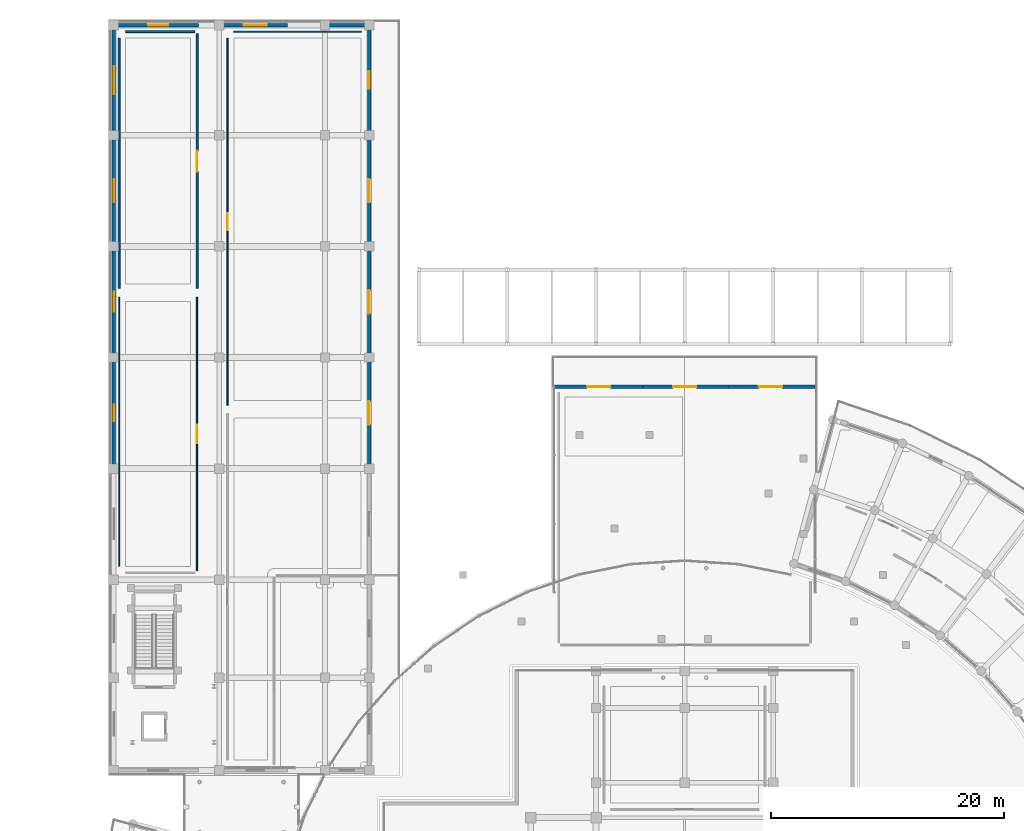
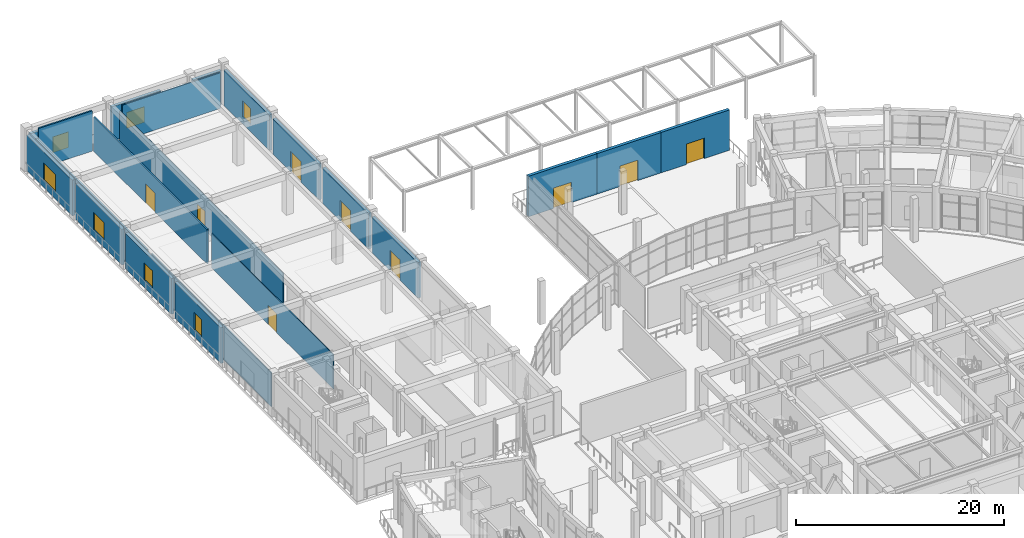
# One storey, part 75 of 99: 21 walls, 9 doors, 7 windows, 16 openings.
"""IFC4 building model written with IfcOpenShell, lengths in metres."""

from ifc_helpers import new_model, si_unit, direction, frame, frame_2d, origin, place, context, subcontext, project, spatial, rectangle, extrude, material, layer, layer_set, type_object, element, fill, save


model = new_model("IFC4")

# Units and contexts
model_context = context("Model", 3, precision=1e-05, world=origin(), true_north=direction((0.0, 1.0)))
body_context = subcontext(model_context, "Body", "Model", "MODEL_VIEW")
ifc_project = project(units=[si_unit("LENGTHUNIT", "METRE"), si_unit("AREAUNIT", "SQUARE_METRE"), si_unit("VOLUMEUNIT", "CUBIC_METRE"), si_unit("PLANEANGLEUNIT", "RADIAN"), si_unit("MASSUNIT", "GRAM", prefix="KILO")], contexts=[model_context])

# Site, building, storey
site_placement = place(None, origin())
site = spatial("IfcSite", under=ifc_project, at=site_placement, CompositionType="ELEMENT")
building_placement = place(site_placement, origin())
building = spatial("IfcBuilding", under=site, at=building_placement, Name="Saryqyr Civic Hall", CompositionType="ELEMENT")
storey_placement = place(building_placement, origin())
storey = spatial("IfcBuildingStorey", under=building, at=storey_placement, Name="L00", CompositionType="ELEMENT", Elevation=0.0)

# Wall, opening, window
ifc_material_1 = material(Name="Precast concrete C40/50", Category="concrete")
ifc_layer_1 = layer(ifc_material_1, 0.31005859375, Name="Precast concrete C40/50")
ifc_layer_set_1 = layer_set([ifc_layer_1], Name="Precast concrete C40/50")
wall_type_1 = type_object("IfcWallType", Name="ENV-WAL-EXT-310", PredefinedType="STANDARD", material=ifc_layer_set_1)
wall_1_placement = place(storey_placement, frame((29.949951171875, 164.81494140625, 0.0), z_axis=(0.0, 0.0, 1.0), x_axis=(0.0, -1.0, 0.0)))
wall_1 = element("IfcWall", 1, at=wall_1_placement, inside=storey, type_object=wall_type_1, Name="Exterior wall V3-EW-L00-1-0", PredefinedType="STANDARD", context=body_context, shape_type="SweptSolid", body=[
    extrude(rectangle(XDim=8.760009765625, YDim=0.31005859375, at=frame_2d((4.3798828125, 0.0))), origin(), (0.0, 0.0, 1.0), 4.195068359375),
])
opening_1_placement = place(wall_1_placement, frame((3.6298828125, 0.0, 0.85009765625)))
opening_1 = element("IfcOpeningElement", 2, at=opening_1_placement, cuts=wall_1, Name="Opening W-26", PredefinedType="OPENING", context=body_context, shape_type="SweptSolid", body=[
    extrude(rectangle(XDim=1.5, YDim=1.85009765625, at=frame_2d((0.75, 0.925048828125))), frame((0.0, 0.1650390625, 0.0), z_axis=(0.0, -1.0, 0.0), x_axis=(1.0, 0.0, 0.0)), (0.0, 0.0, 1.0), 0.330078125),
])
ifc_material_2 = material(Name="Anodised aluminium and triple low-E glass", Category="aluminium")
window_type_1 = type_object("IfcWindowType", Name="ENV-WIN-W26", PartitioningType="SINGLE_PANEL", PredefinedType="WINDOW", material=ifc_material_2)
window_1_placement = place(opening_1_placement, origin())
window_1 = element("IfcWindow", 3, at=window_1_placement, inside=storey, type_object=window_type_1, Name="Library window L00-1-0", OverallHeight=1.85009765625, OverallWidth=1.5, PartitioningType="SINGLE_PANEL", PredefinedType="WINDOW", context=body_context, shape_type="SweptSolid", body=[
    extrude(rectangle(XDim=1.5, YDim=1.85009765625, at=frame_2d((0.75, 0.925048828125))), frame((0.0, 0.030029296875, 0.0), z_axis=(0.0, -1.0, 0.0), x_axis=(1.0, 0.0, 0.0)), (0.0, 0.0, 1.0), 0.06005859375),
])
fill(opening_1, window_1)

# Wall, opening, door
wall_2_placement = place(storey_placement, frame((29.949951171875, 155.385009765625, 0.0), z_axis=(0.0, 0.0, 1.0), x_axis=(0.0, -1.0, 0.0)))
wall_2 = element("IfcWall", 4, at=wall_2_placement, inside=storey, type_object=wall_type_1, Name="Exterior wall V3-EW-L00-1-1", PredefinedType="STANDARD", context=body_context, shape_type="SweptSolid", body=[
    extrude(rectangle(XDim=8.860107421875, YDim=0.31005859375, at=frame_2d((4.43017578125, 0.0))), origin(), (0.0, 0.0, 1.0), 4.195068359375),
])
opening_2_placement = place(wall_2_placement, frame((3.429931640625, 0.0, 0.0)))
opening_2 = element("IfcOpeningElement", 5, at=opening_2_placement, cuts=wall_2, Name="Opening ED-A", PredefinedType="OPENING", context=body_context, shape_type="SweptSolid", body=[
    extrude(rectangle(XDim=2.0, YDim=2.39990234375, at=frame_2d((1.0, 1.199951171875))), frame((0.0, 0.1650390625, 0.0), z_axis=(0.0, -1.0, 0.0), x_axis=(1.0, 0.0, 0.0)), (0.0, 0.0, 1.0), 0.330078125),
])
ifc_material_3 = material(Name="Thermally broken painted galvanized steel", Category="steel")
door_type_1 = type_object("IfcDoorType", Name="ENV-DR-EXIT-2000x2400", OperationType="NOTDEFINED", PredefinedType="DOOR", material=ifc_material_3)
door_1_placement = place(opening_2_placement, origin())
door_1 = element("IfcDoor", 6, at=door_1_placement, inside=storey, type_object=door_type_1, Name="Pedestrian Final Exit Door V3-1-1", OperationType="DOUBLE_DOOR_SINGLE_SWING", OverallHeight=2.39990234375, OverallWidth=2.0, PredefinedType="DOOR", context=body_context, shape_type="SweptSolid", body=[
    extrude(rectangle(XDim=2.0, YDim=2.39990234375, at=frame_2d((1.0, 1.199951171875))), frame((0.0, 0.02490234375, 0.0), z_axis=(0.0, -1.0, 0.0), x_axis=(1.0, 0.0, 0.0)), (0.0, 0.0, 1.0), 0.050048828125),
])
fill(opening_2, door_1)

wall_3_placement = place(storey_placement, frame((29.949951171875, 145.85498046875, 0.0), z_axis=(0.0, 0.0, 1.0), x_axis=(0.0, -1.0, 0.0)))
wall_3 = element("IfcWall", 7, at=wall_3_placement, inside=storey, type_object=wall_type_1, Name="Exterior wall V3-EW-L00-1-2", PredefinedType="STANDARD", context=body_context, shape_type="SweptSolid", body=[
    extrude(rectangle(XDim=8.85986328125, YDim=0.31005859375, at=frame_2d((4.429931640625, 0.0))), origin(), (0.0, 0.0, 1.0), 4.195068359375),
])
opening_3_placement = place(wall_3_placement, frame((3.429931640625, 0.0, 0.0)))
opening_3 = element("IfcOpeningElement", 8, at=opening_3_placement, cuts=wall_3, Name="Opening ED-A", PredefinedType="OPENING", context=body_context, shape_type="SweptSolid", body=[
    extrude(rectangle(XDim=2.0, YDim=2.39990234375, at=frame_2d((1.0, 1.199951171875))), frame((0.0, 0.1650390625, 0.0), z_axis=(0.0, -1.0, 0.0), x_axis=(1.0, 0.0, 0.0)), (0.0, 0.0, 1.0), 0.330078125),
])
door_2_placement = place(opening_3_placement, origin())
door_2 = element("IfcDoor", 9, at=door_2_placement, inside=storey, type_object=door_type_1, Name="Pedestrian Final Exit Door V3-1-2", OperationType="DOUBLE_DOOR_SINGLE_SWING", OverallHeight=2.39990234375, OverallWidth=2.0, PredefinedType="DOOR", context=body_context, shape_type="SweptSolid", body=[
    extrude(rectangle(XDim=2.0, YDim=2.39990234375, at=frame_2d((1.0, 1.199951171875))), frame((0.0, 0.02490234375, 0.0), z_axis=(0.0, -1.0, 0.0), x_axis=(1.0, 0.0, 0.0)), (0.0, 0.0, 1.0), 0.050048828125),
])
fill(opening_3, door_2)

wall_4_placement = place(storey_placement, frame((29.949951171875, 136.324951171875, 0.0), z_axis=(0.0, 0.0, 1.0), x_axis=(0.0, -1.0, 0.0)))
wall_4 = element("IfcWall", 10, at=wall_4_placement, inside=storey, type_object=wall_type_1, Name="Exterior wall V3-EW-L00-1-3", PredefinedType="STANDARD", context=body_context, shape_type="SweptSolid", body=[
    extrude(rectangle(XDim=8.85986328125, YDim=0.31005859375, at=frame_2d((4.429931640625, 0.0))), origin(), (0.0, 0.0, 1.0), 4.195068359375),
])
opening_4_placement = place(wall_4_placement, frame((3.429931640625, 0.0, 0.0)))
opening_4 = element("IfcOpeningElement", 11, at=opening_4_placement, cuts=wall_4, Name="Opening ED-A", PredefinedType="OPENING", context=body_context, shape_type="SweptSolid", body=[
    extrude(rectangle(XDim=2.0, YDim=2.39990234375, at=frame_2d((1.0, 1.199951171875))), frame((0.0, 0.1650390625, 0.0), z_axis=(0.0, -1.0, 0.0), x_axis=(1.0, 0.0, 0.0)), (0.0, 0.0, 1.0), 0.330078125),
])
door_3_placement = place(opening_4_placement, origin())
door_3 = element("IfcDoor", 12, at=door_3_placement, inside=storey, type_object=door_type_1, Name="Pedestrian Final Exit Door V3-1-3", OperationType="DOUBLE_DOOR_SINGLE_SWING", OverallHeight=2.39990234375, OverallWidth=2.0, PredefinedType="DOOR", context=body_context, shape_type="SweptSolid", body=[
    extrude(rectangle(XDim=2.0, YDim=2.39990234375, at=frame_2d((1.0, 1.199951171875))), frame((0.0, 0.02490234375, 0.0), z_axis=(0.0, -1.0, 0.0), x_axis=(1.0, 0.0, 0.0)), (0.0, 0.0, 1.0), 0.050048828125),
])
fill(opening_4, door_3)

# Wall, opening, window
wall_5_placement = place(storey_placement, frame((8.385009765625, 165.14990234375, 0.0), z_axis=(0.0, 0.0, 1.0), x_axis=(1.0, 0.0, 0.0)))
wall_5 = element("IfcWall", 13, at=wall_5_placement, inside=storey, type_object=wall_type_1, Name="Exterior wall V3-EW-L00-2-0", PredefinedType="STANDARD", context=body_context, shape_type="SweptSolid", body=[
    extrude(rectangle(XDim=6.93505859375, YDim=0.31005859375, at=frame_2d((3.467529296875, 0.0))), origin(), (0.0, 0.0, 1.0), 4.044921875),
])
opening_5_placement = place(wall_5_placement, frame((2.593017578125, 0.0, 0.85009765625)))
opening_5 = element("IfcOpeningElement", 14, at=opening_5_placement, cuts=wall_5, Name="Opening W-27", PredefinedType="OPENING", context=body_context, shape_type="SweptSolid", body=[
    extrude(rectangle(XDim=1.75, YDim=1.85009765625, at=frame_2d((0.875, 0.925048828125))), frame((0.0, 0.1650390625, 0.0), z_axis=(0.0, -1.0, 0.0), x_axis=(1.0, 0.0, 0.0)), (0.0, 0.0, 1.0), 0.330078125),
])
window_type_2 = type_object("IfcWindowType", Name="ENV-WIN-W27", PartitioningType="SINGLE_PANEL", PredefinedType="WINDOW", material=ifc_material_2)
window_2_placement = place(opening_5_placement, origin())
window_2 = element("IfcWindow", 15, at=window_2_placement, inside=storey, type_object=window_type_2, Name="Library window L00-2-0", OverallHeight=1.85009765625, OverallWidth=1.75, PartitioningType="SINGLE_PANEL", PredefinedType="WINDOW", context=body_context, shape_type="SweptSolid", body=[
    extrude(rectangle(XDim=1.75, YDim=1.85009765625, at=frame_2d((0.875, 0.925048828125))), frame((0.0, 0.030029296875, 0.0), z_axis=(0.0, -1.0, 0.0), x_axis=(1.0, 0.0, 0.0)), (0.0, 0.0, 1.0), 0.06005859375),
])
fill(opening_5, window_2)

wall_6_placement = place(storey_placement, frame((17.43505859375, 165.14990234375, 0.0), z_axis=(0.0, 0.0, 1.0), x_axis=(1.0, 0.0, 0.0)))
wall_6 = element("IfcWall", 16, at=wall_6_placement, inside=storey, type_object=wall_type_1, Name="Exterior wall V3-EW-L00-2-1", PredefinedType="STANDARD", context=body_context, shape_type="SweptSolid", body=[
    extrude(rectangle(XDim=5.48486328125, YDim=0.31005859375, at=frame_2d((2.742431640625, 0.0))), origin(), (0.0, 0.0, 1.0), 4.044921875),
])
opening_6_placement = place(wall_6_placement, frame((1.742919921875, 0.0, 0.85009765625)))
opening_6 = element("IfcOpeningElement", 17, at=opening_6_placement, cuts=wall_6, Name="Opening W-28", PredefinedType="OPENING", context=body_context, shape_type="SweptSolid", body=[
    extrude(rectangle(XDim=2.0, YDim=1.85009765625, at=frame_2d((1.0, 0.925048828125))), frame((0.0, 0.1650390625, 0.0), z_axis=(0.0, -1.0, 0.0), x_axis=(1.0, 0.0, 0.0)), (0.0, 0.0, 1.0), 0.330078125),
])
window_type_3 = type_object("IfcWindowType", Name="ENV-WIN-W28", PartitioningType="SINGLE_PANEL", PredefinedType="WINDOW", material=ifc_material_2)
window_3_placement = place(opening_6_placement, origin())
window_3 = element("IfcWindow", 18, at=window_3_placement, inside=storey, type_object=window_type_3, Name="Library window L00-2-1", OverallHeight=1.85009765625, OverallWidth=2.0, PartitioningType="SINGLE_PANEL", PredefinedType="WINDOW", context=body_context, shape_type="SweptSolid", body=[
    extrude(rectangle(XDim=2.0, YDim=1.85009765625, at=frame_2d((1.0, 0.925048828125))), frame((0.0, 0.030029296875, 0.0), z_axis=(0.0, -1.0, 0.0), x_axis=(1.0, 0.0, 0.0)), (0.0, 0.0, 1.0), 0.06005859375),
])
fill(opening_6, window_3)

# Wall
wall_7_placement = place(storey_placement, frame((26.485107421875, 165.14990234375, 0.0), z_axis=(0.0, 0.0, 1.0), x_axis=(1.0, 0.0, 0.0)))
element("IfcWall", 19, at=wall_7_placement, inside=storey, type_object=wall_type_1, Name="Exterior wall V3-EW-L00-2-2", PredefinedType="STANDARD", context=body_context, shape_type="SweptSolid", body=[
    extrude(rectangle(XDim=3.1298828125, YDim=0.31005859375, at=frame_2d((1.56494140625, 0.0))), origin(), (0.0, 0.0, 1.0), 4.044921875),
])

# Wall, opening, window
wall_8_placement = place(storey_placement, frame((8.050048828125, 127.465087890625, 0.0), z_axis=(0.0, 0.0, 1.0), x_axis=(0.0, 1.0, 0.0)))
wall_8 = element("IfcWall", 20, at=wall_8_placement, inside=storey, type_object=wall_type_1, Name="Exterior wall V3-EW-L00-3-3", PredefinedType="STANDARD", context=body_context, shape_type="SweptSolid", body=[
    extrude(rectangle(XDim=8.85986328125, YDim=0.31005859375, at=frame_2d((4.429931640625, 0.0))), origin(), (0.0, 0.0, 1.0), 4.195068359375),
])
opening_7_placement = place(wall_8_placement, frame((3.72998046875, 0.0, 0.85009765625)))
opening_7 = element("IfcOpeningElement", 21, at=opening_7_placement, cuts=wall_8, Name="Opening W-31", PredefinedType="OPENING", context=body_context, shape_type="SweptSolid", body=[
    extrude(rectangle(XDim=1.39990234375, YDim=2.050048828125, at=frame_2d((0.699951171875, 1.02490234375))), frame((0.0, 0.1650390625, 0.0), z_axis=(0.0, -1.0, 0.0), x_axis=(1.0, 0.0, 0.0)), (0.0, 0.0, 1.0), 0.330078125),
])
window_type_4 = type_object("IfcWindowType", Name="ENV-WIN-W31", PartitioningType="SINGLE_PANEL", PredefinedType="WINDOW", material=ifc_material_2)
window_4_placement = place(opening_7_placement, origin())
window_4 = element("IfcWindow", 22, at=window_4_placement, inside=storey, type_object=window_type_4, Name="Library window L00-3-3", OverallHeight=2.050048828125, OverallWidth=1.39990234375, PartitioningType="SINGLE_PANEL", PredefinedType="WINDOW", context=body_context, shape_type="SweptSolid", body=[
    extrude(rectangle(XDim=1.39990234375, YDim=2.050048828125, at=frame_2d((0.699951171875, 1.02490234375))), frame((0.0, 0.030029296875, 0.0), z_axis=(0.0, -1.0, 0.0), x_axis=(1.0, 0.0, 0.0)), (0.0, 0.0, 1.0), 0.06005859375),
])
fill(opening_7, window_4)

wall_9_placement = place(storey_placement, frame((8.050048828125, 136.9951171875, 0.0), z_axis=(0.0, 0.0, 1.0), x_axis=(0.0, 1.0, 0.0)))
wall_9 = element("IfcWall", 23, at=wall_9_placement, inside=storey, type_object=wall_type_1, Name="Exterior wall V3-EW-L00-3-4", PredefinedType="STANDARD", context=body_context, shape_type="SweptSolid", body=[
    extrude(rectangle(XDim=8.85986328125, YDim=0.31005859375, at=frame_2d((4.429931640625, 0.0))), origin(), (0.0, 0.0, 1.0), 4.195068359375),
])
opening_8_placement = place(wall_9_placement, frame((3.580078125, 0.0, 0.85009765625)))
opening_8 = element("IfcOpeningElement", 24, at=opening_8_placement, cuts=wall_9, Name="Opening W-32", PredefinedType="OPENING", context=body_context, shape_type="SweptSolid", body=[
    extrude(rectangle(XDim=1.699951171875, YDim=2.050048828125, at=frame_2d((0.85009765625, 1.02490234375))), frame((0.0, 0.1650390625, 0.0), z_axis=(0.0, -1.0, 0.0), x_axis=(1.0, 0.0, 0.0)), (0.0, 0.0, 1.0), 0.330078125),
])
window_type_5 = type_object("IfcWindowType", Name="ENV-WIN-W32", PartitioningType="SINGLE_PANEL", PredefinedType="WINDOW", material=ifc_material_2)
window_5_placement = place(opening_8_placement, origin())
window_5 = element("IfcWindow", 25, at=window_5_placement, inside=storey, type_object=window_type_5, Name="Library window L00-3-4", OverallHeight=2.050048828125, OverallWidth=1.699951171875, PartitioningType="SINGLE_PANEL", PredefinedType="WINDOW", context=body_context, shape_type="SweptSolid", body=[
    extrude(rectangle(XDim=1.699951171875, YDim=2.050048828125, at=frame_2d((0.85009765625, 1.02490234375))), frame((0.0, 0.030029296875, 0.0), z_axis=(0.0, -1.0, 0.0), x_axis=(1.0, 0.0, 0.0)), (0.0, 0.0, 1.0), 0.06005859375),
])
fill(opening_8, window_5)

wall_10_placement = place(storey_placement, frame((8.050048828125, 146.52490234375, 0.0), z_axis=(0.0, 0.0, 1.0), x_axis=(0.0, 1.0, 0.0)))
wall_10 = element("IfcWall", 26, at=wall_10_placement, inside=storey, type_object=wall_type_1, Name="Exterior wall V3-EW-L00-3-5", PredefinedType="STANDARD", context=body_context, shape_type="SweptSolid", body=[
    extrude(rectangle(XDim=8.860107421875, YDim=0.31005859375, at=frame_2d((4.43017578125, 0.0))), origin(), (0.0, 0.0, 1.0), 4.195068359375),
])
opening_9_placement = place(wall_10_placement, frame((3.429931640625, 0.0, 0.85009765625)))
opening_9 = element("IfcOpeningElement", 27, at=opening_9_placement, cuts=wall_10, Name="Opening W-33", PredefinedType="OPENING", context=body_context, shape_type="SweptSolid", body=[
    extrude(rectangle(XDim=2.0, YDim=2.050048828125, at=frame_2d((1.0, 1.02490234375))), frame((0.0, 0.1650390625, 0.0), z_axis=(0.0, -1.0, 0.0), x_axis=(1.0, 0.0, 0.0)), (0.0, 0.0, 1.0), 0.330078125),
])
window_type_6 = type_object("IfcWindowType", Name="ENV-WIN-W33", PartitioningType="SINGLE_PANEL", PredefinedType="WINDOW", material=ifc_material_2)
window_6_placement = place(opening_9_placement, origin())
window_6 = element("IfcWindow", 28, at=window_6_placement, inside=storey, type_object=window_type_6, Name="Library window L00-3-5", OverallHeight=2.050048828125, OverallWidth=2.0, PartitioningType="SINGLE_PANEL", PredefinedType="WINDOW", context=body_context, shape_type="SweptSolid", body=[
    extrude(rectangle(XDim=2.0, YDim=2.050048828125, at=frame_2d((1.0, 1.02490234375))), frame((0.0, 0.030029296875, 0.0), z_axis=(0.0, -1.0, 0.0), x_axis=(1.0, 0.0, 0.0)), (0.0, 0.0, 1.0), 0.06005859375),
])
fill(opening_9, window_6)

wall_11_placement = place(storey_placement, frame((8.050048828125, 156.054931640625, 0.0), z_axis=(0.0, 0.0, 1.0), x_axis=(0.0, 1.0, 0.0)))
wall_11 = element("IfcWall", 29, at=wall_11_placement, inside=storey, type_object=wall_type_1, Name="Exterior wall V3-EW-L00-3-6", PredefinedType="STANDARD", context=body_context, shape_type="SweptSolid", body=[
    extrude(rectangle(XDim=8.760009765625, YDim=0.31005859375, at=frame_2d((4.3798828125, 0.0))), origin(), (0.0, 0.0, 1.0), 4.195068359375),
])
opening_10_placement = place(wall_11_placement, frame((3.179931640625, 0.0, 0.85009765625)))
opening_10 = element("IfcOpeningElement", 30, at=opening_10_placement, cuts=wall_11, Name="Opening W-34", PredefinedType="OPENING", context=body_context, shape_type="SweptSolid", body=[
    extrude(rectangle(XDim=2.39990234375, YDim=2.050048828125, at=frame_2d((1.199951171875, 1.02490234375))), frame((0.0, 0.1650390625, 0.0), z_axis=(0.0, -1.0, 0.0), x_axis=(1.0, 0.0, 0.0)), (0.0, 0.0, 1.0), 0.330078125),
])
window_type_7 = type_object("IfcWindowType", Name="ENV-WIN-W34", PartitioningType="SINGLE_PANEL", PredefinedType="WINDOW", material=ifc_material_2)
window_7_placement = place(opening_10_placement, origin())
window_7 = element("IfcWindow", 31, at=window_7_placement, inside=storey, type_object=window_type_7, Name="Library window L00-3-6", OverallHeight=2.050048828125, OverallWidth=2.39990234375, PartitioningType="SINGLE_PANEL", PredefinedType="WINDOW", context=body_context, shape_type="SweptSolid", body=[
    extrude(rectangle(XDim=2.39990234375, YDim=2.050048828125, at=frame_2d((1.199951171875, 1.02490234375))), frame((0.0, 0.030029296875, 0.0), z_axis=(0.0, -1.0, 0.0), x_axis=(1.0, 0.0, 0.0)), (0.0, 0.0, 1.0), 0.06005859375),
])
fill(opening_10, window_7)

# Wall, opening, door
ifc_layer_2 = layer(ifc_material_1, 0.340087890625, Name="Precast concrete C40/50")
ifc_layer_set_2 = layer_set([ifc_layer_2], Name="Precast concrete C40/50")
wall_type_2 = type_object("IfcWallType", Name="ENV-WAL-EXT-340", PredefinedType="STANDARD", material=ifc_layer_set_2)
wall_12_placement = place(storey_placement, frame((45.830078125, 134.14990234375, 0.0), z_axis=(0.0, 0.0, 1.0), x_axis=(1.0, 0.0, 0.0)))
wall_12 = element("IfcWall", 32, at=wall_12_placement, inside=storey, type_object=wall_type_2, Name="Exterior wall V2-PORTAL-N-0", PredefinedType="STANDARD", context=body_context, shape_type="SweptSolid", body=[
    extrude(rectangle(XDim=7.606689453125, YDim=0.340087890625, at=frame_2d((3.80322265625, 0.0))), origin(), (0.0, 0.0, 1.0), 4.75),
])
opening_11_placement = place(wall_12_placement, frame((2.802978515625, 0.0, 0.0)))
opening_11 = element("IfcOpeningElement", 33, at=opening_11_placement, cuts=wall_12, Name="Opening ED-A", PredefinedType="OPENING", context=body_context, shape_type="SweptSolid", body=[
    extrude(rectangle(XDim=2.0, YDim=2.39990234375, at=frame_2d((1.0, 1.199951171875))), frame((0.0, 0.179931640625, 0.0), z_axis=(0.0, -1.0, 0.0), x_axis=(1.0, 0.0, 0.0)), (0.0, 0.0, 1.0), 0.360107421875),
])
door_4_placement = place(opening_11_placement, origin())
door_4 = element("IfcDoor", 34, at=door_4_placement, inside=storey, type_object=door_type_1, Name="Pedestrian Main Entrance Final Exit N-1", OperationType="DOUBLE_DOOR_SINGLE_SWING", OverallHeight=2.39990234375, OverallWidth=2.0, PredefinedType="DOOR", context=body_context, shape_type="SweptSolid", body=[
    extrude(rectangle(XDim=2.0, YDim=2.39990234375, at=frame_2d((1.0, 1.199951171875))), frame((0.0, 0.02490234375, 0.0), z_axis=(0.0, -1.0, 0.0), x_axis=(1.0, 0.0, 0.0)), (0.0, 0.0, 1.0), 0.050048828125),
])
fill(opening_11, door_4)

wall_13_placement = place(storey_placement, frame((53.19677734375, 134.14990234375, 0.0), z_axis=(0.0, 0.0, 1.0), x_axis=(1.0, 0.0, 0.0)))
wall_13 = element("IfcWall", 35, at=wall_13_placement, inside=storey, type_object=wall_type_2, Name="Exterior wall V2-PORTAL-N", PredefinedType="STANDARD", context=body_context, shape_type="SweptSolid", body=[
    extrude(rectangle(XDim=7.6064453125, YDim=0.340087890625, at=frame_2d((3.80322265625, 0.0))), origin(), (0.0, 0.0, 1.0), 4.75),
])
opening_12_placement = place(wall_13_placement, frame((2.802978515625, 0.0, 0.0)))
opening_12 = element("IfcOpeningElement", 36, at=opening_12_placement, cuts=wall_13, Name="Opening ED-A", PredefinedType="OPENING", context=body_context, shape_type="SweptSolid", body=[
    extrude(rectangle(XDim=2.0, YDim=2.39990234375, at=frame_2d((1.0, 1.199951171875))), frame((0.0, 0.179931640625, 0.0), z_axis=(0.0, -1.0, 0.0), x_axis=(1.0, 0.0, 0.0)), (0.0, 0.0, 1.0), 0.360107421875),
])
door_5_placement = place(opening_12_placement, origin())
door_5 = element("IfcDoor", 37, at=door_5_placement, inside=storey, type_object=door_type_1, Name="Pedestrian Main Entrance Final Exit N-2", OperationType="DOUBLE_DOOR_SINGLE_SWING", OverallHeight=2.39990234375, OverallWidth=2.0, PredefinedType="DOOR", context=body_context, shape_type="SweptSolid", body=[
    extrude(rectangle(XDim=2.0, YDim=2.39990234375, at=frame_2d((1.0, 1.199951171875))), frame((0.0, 0.02490234375, 0.0), z_axis=(0.0, -1.0, 0.0), x_axis=(1.0, 0.0, 0.0)), (0.0, 0.0, 1.0), 0.050048828125),
])
fill(opening_12, door_5)

wall_14_placement = place(storey_placement, frame((60.563232421875, 134.14990234375, 0.0), z_axis=(0.0, 0.0, 1.0), x_axis=(1.0, 0.0, 0.0)))
wall_14 = element("IfcWall", 38, at=wall_14_placement, inside=storey, type_object=wall_type_2, Name="Exterior wall V2-PORTAL-N-2", PredefinedType="STANDARD", context=body_context, shape_type="SweptSolid", body=[
    extrude(rectangle(XDim=7.606689453125, YDim=0.340087890625, at=frame_2d((3.80322265625, 0.0))), origin(), (0.0, 0.0, 1.0), 4.75),
])
opening_13_placement = place(wall_14_placement, frame((2.802978515625, 0.0, 0.0)))
opening_13 = element("IfcOpeningElement", 39, at=opening_13_placement, cuts=wall_14, Name="Opening ED-A", PredefinedType="OPENING", context=body_context, shape_type="SweptSolid", body=[
    extrude(rectangle(XDim=2.0, YDim=2.39990234375, at=frame_2d((1.0, 1.199951171875))), frame((0.0, 0.179931640625, 0.0), z_axis=(0.0, -1.0, 0.0), x_axis=(1.0, 0.0, 0.0)), (0.0, 0.0, 1.0), 0.360107421875),
])
door_6_placement = place(opening_13_placement, origin())
door_6 = element("IfcDoor", 40, at=door_6_placement, inside=storey, type_object=door_type_1, Name="Pedestrian Main Entrance Final Exit N-3", OperationType="DOUBLE_DOOR_SINGLE_SWING", OverallHeight=2.39990234375, OverallWidth=2.0, PredefinedType="DOOR", context=body_context, shape_type="SweptSolid", body=[
    extrude(rectangle(XDim=2.0, YDim=2.39990234375, at=frame_2d((1.0, 1.199951171875))), frame((0.0, 0.02490234375, 0.0), z_axis=(0.0, -1.0, 0.0), x_axis=(1.0, 0.0, 0.0)), (0.0, 0.0, 1.0), 0.050048828125),
])
fill(opening_13, door_6)

ifc_material_4 = material(Name="Lightweight demountable partition", Category="gypsum")
ifc_layer_3 = layer(ifc_material_4, 0.094970703125, Name="Lightweight demountable partition")
ifc_layer_set_3 = layer_set([ifc_layer_3], Name="Lightweight demountable partition")
wall_type_3 = type_object("IfcWallType", Name="INT-WAL-PRT-095", PredefinedType="PARTITIONING", material=ifc_layer_set_3)
wall_15_placement = place(storey_placement, frame((15.179931640625, 141.820068359375, 0.0), z_axis=(0.0, 0.0, 1.0), x_axis=(0.0, -1.0, 0.0)))
wall_15 = element("IfcWall", 41, at=wall_15_placement, inside=storey, type_object=wall_type_3, Name="Interior partition PRT-SP-V3-L00-R03-W1", PredefinedType="PARTITIONING", context=body_context, shape_type="SweptSolid", body=[
    extrude(rectangle(XDim=23.440185546875, YDim=0.094970703125, at=frame_2d((11.72021484375, 0.0))), origin(), (0.0, 0.0, 1.0), 4.044921875),
])
opening_14_placement = place(wall_15_placement, frame((10.919921875, 0.0, 0.0)))
opening_14 = element("IfcOpeningElement", 42, at=opening_14_placement, cuts=wall_15, Name="Opening D-14", PredefinedType="OPENING", context=body_context, shape_type="SweptSolid", body=[
    extrude(rectangle(XDim=1.60009765625, YDim=2.219970703125, at=frame_2d((0.800048828125, 1.10986328125))), frame((0.0, 0.057373046875, 0.0), z_axis=(0.0, -1.0, 0.0), x_axis=(1.0, 0.0, 0.0)), (0.0, 0.0, 1.0), 0.114990234375),
])
ifc_material_5 = material(Name="Acoustic solid-core oak veneer", Category="wood")
door_type_2 = type_object("IfcDoorType", Name="INT-DR-D-14", OperationType="NOTDEFINED", PredefinedType="DOOR", material=ifc_material_5)
door_7_placement = place(opening_14_placement, origin())
door_7 = element("IfcDoor", 43, at=door_7_placement, inside=storey, type_object=door_type_2, Name="Interior door Archive Digitisation Laboratory", OperationType="DOUBLE_DOOR_SINGLE_SWING", OverallHeight=2.219970703125, OverallWidth=1.60009765625, PredefinedType="DOOR", context=body_context, shape_type="SweptSolid", body=[
    extrude(rectangle(XDim=1.60009765625, YDim=2.219970703125, at=frame_2d((0.800048828125, 1.10986328125))), frame((0.0, 0.02490234375, 0.0), z_axis=(0.0, -1.0, 0.0), x_axis=(1.0, 0.0, 0.0)), (0.0, 0.0, 1.0), 0.050048828125),
])
fill(opening_14, door_7)

# Wall
wall_16_placement = place(storey_placement, frame((8.5, 118.75, 0.0), z_axis=(0.0, 0.0, 1.0), x_axis=(0.0, 1.0, 0.0)))
element("IfcWall", 44, at=wall_16_placement, inside=storey, type_object=wall_type_3, Name="Interior partition PRT-SP-V3-L00-R03-W2", PredefinedType="PARTITIONING", context=body_context, shape_type="SweptSolid", body=[
    extrude(rectangle(XDim=23.070068359375, YDim=0.094970703125, at=frame_2d((11.53515625, 0.0))), origin(), (0.0, 0.0, 1.0), 4.044921875),
])

# Wall, opening, door
ifc_material_6 = material(Name="Moisture-resistant gypsum partition", Category="gypsum")
ifc_layer_4 = layer(ifc_material_6, 0.110107421875, Name="Moisture-resistant gypsum partition")
ifc_layer_set_4 = layer_set([ifc_layer_4], Name="Moisture-resistant gypsum partition")
wall_type_4 = type_object("IfcWallType", Name="INT-WAL-PRT-110", PredefinedType="PARTITIONING", material=ifc_layer_set_4)
wall_17_placement = place(storey_placement, frame((17.800048828125, 132.580078125, 0.0), z_axis=(0.0, 0.0, 1.0), x_axis=(0.0, 1.0, 0.0)))
wall_17 = element("IfcWall", 45, at=wall_17_placement, inside=storey, type_object=wall_type_4, Name="Interior partition PRT-SP-V3-L00-R02-W1", PredefinedType="PARTITIONING", context=body_context, shape_type="SweptSolid", body=[
    extrude(rectangle(XDim=31.469970703125, YDim=0.110107421875, at=frame_2d((15.73486328125, 0.0))), origin(), (0.0, 0.0, 1.0), 4.044921875),
])
opening_15_placement = place(wall_17_placement, frame((15.010009765625, 0.0, 0.0)))
opening_15 = element("IfcOpeningElement", 46, at=opening_15_placement, cuts=wall_17, Name="Opening D-13", PredefinedType="OPENING", context=body_context, shape_type="SweptSolid", body=[
    extrude(rectangle(XDim=1.449951171875, YDim=2.219970703125, at=frame_2d((0.72509765625, 1.10986328125))), frame((0.0, 0.06494140625, 0.0), z_axis=(0.0, -1.0, 0.0), x_axis=(1.0, 0.0, 0.0)), (0.0, 0.0, 1.0), 0.130126953125),
])
door_type_3 = type_object("IfcDoorType", Name="INT-DR-D-13", OperationType="NOTDEFINED", PredefinedType="DOOR", material=ifc_material_5)
door_8_placement = place(opening_15_placement, origin())
door_8 = element("IfcDoor", 47, at=door_8_placement, inside=storey, type_object=door_type_3, Name="Interior door Historical Maps & Rare Deeds Exhibition", OperationType="SINGLE_SWING_LEFT", OverallHeight=2.219970703125, OverallWidth=1.449951171875, PredefinedType="DOOR", context=body_context, shape_type="SweptSolid", body=[
    extrude(rectangle(XDim=1.449951171875, YDim=2.219970703125, at=frame_2d((0.72509765625, 1.10986328125))), frame((0.0, 0.02490234375, 0.0), z_axis=(0.0, -1.0, 0.0), x_axis=(1.0, 0.0, 0.0)), (0.0, 0.0, 1.0), 0.050048828125),
])
fill(opening_15, door_8)

# Wall
wall_18_placement = place(storey_placement, frame((18.35009765625, 164.60009765625, 0.0), z_axis=(0.0, 0.0, 1.0), x_axis=(1.0, 0.0, 0.0)))
element("IfcWall", 48, at=wall_18_placement, inside=storey, type_object=wall_type_4, Name="Interior partition PRT-SP-V3-L00-R02-W2", PredefinedType="PARTITIONING", context=body_context, shape_type="SweptSolid", body=[
    extrude(rectangle(XDim=10.89990234375, YDim=0.110107421875, at=frame_2d((5.449951171875, 0.0))), origin(), (0.0, 0.0, 1.0), 4.195068359375),
])

# Wall, opening, door
ifc_material_7 = material(Name="Acoustic double-stud gypsum board", Category="gypsum")
ifc_layer_5 = layer(ifc_material_7, 0.169921875, Name="Acoustic double-stud gypsum board")
ifc_layer_set_5 = layer_set([ifc_layer_5], Name="Acoustic double-stud gypsum board")
wall_type_5 = type_object("IfcWallType", Name="INT-WAL-PRT-170", PredefinedType="PARTITIONING", material=ifc_layer_set_5)
wall_19_placement = place(storey_placement, frame((15.179931640625, 164.419921875, 0.0), z_axis=(0.0, 0.0, 1.0), x_axis=(0.0, -1.0, 0.0)))
wall_19 = element("IfcWall", 49, at=wall_19_placement, inside=storey, type_object=wall_type_5, Name="Interior partition PRT-SP-V3-L00-R04-W1", PredefinedType="PARTITIONING", context=body_context, shape_type="SweptSolid", body=[
    extrude(rectangle(XDim=21.83984375, YDim=0.169921875, at=frame_2d((10.919921875, 0.0))), origin(), (0.0, 0.0, 1.0), 4.044921875),
])
opening_16_placement = place(wall_19_placement, frame((10.02001953125, 0.0, 0.0)))
opening_16 = element("IfcOpeningElement", 50, at=opening_16_placement, cuts=wall_19, Name="Opening D-15", PredefinedType="OPENING", context=body_context, shape_type="SweptSolid", body=[
    extrude(rectangle(XDim=1.800048828125, YDim=2.219970703125, at=frame_2d((0.89990234375, 1.10986328125))), frame((0.0, 0.094970703125, 0.0), z_axis=(0.0, -1.0, 0.0), x_axis=(1.0, 0.0, 0.0)), (0.0, 0.0, 1.0), 0.18994140625),
])
door_type_4 = type_object("IfcDoorType", Name="INT-DR-D-15", OperationType="NOTDEFINED", PredefinedType="DOOR", material=ifc_material_5)
door_9_placement = place(opening_16_placement, origin())
door_9 = element("IfcDoor", 51, at=door_9_placement, inside=storey, type_object=door_type_4, Name="Interior door Library Ground Reception & Accessible MGN WC", OperationType="DOUBLE_DOOR_SINGLE_SWING", OverallHeight=2.219970703125, OverallWidth=1.800048828125, PredefinedType="DOOR", context=body_context, shape_type="SweptSolid", body=[
    extrude(rectangle(XDim=1.800048828125, YDim=2.219970703125, at=frame_2d((0.89990234375, 1.10986328125))), frame((0.0, 0.02490234375, 0.0), z_axis=(0.0, -1.0, 0.0), x_axis=(1.0, 0.0, 0.0)), (0.0, 0.0, 1.0), 0.050048828125),
])
fill(opening_16, door_9)

# Walls
wall_20_placement = place(storey_placement, frame((8.5, 142.580078125, 0.0), z_axis=(0.0, 0.0, 1.0), x_axis=(0.0, 1.0, 0.0)))
element("IfcWall", 52, at=wall_20_placement, inside=storey, type_object=wall_type_5, Name="Interior partition PRT-SP-V3-L00-R04-W2", PredefinedType="PARTITIONING", context=body_context, shape_type="SweptSolid", body=[
    extrude(rectangle(XDim=21.469970703125, YDim=0.169921875, at=frame_2d((10.73486328125, 0.0))), origin(), (0.0, 0.0, 1.0), 4.044921875),
])
wall_21_placement = place(storey_placement, frame((9.050048828125, 164.60009765625, 0.0), z_axis=(0.0, 0.0, 1.0), x_axis=(1.0, 0.0, 0.0)))
element("IfcWall", 53, at=wall_21_placement, inside=storey, type_object=wall_type_5, Name="Interior partition PRT-SP-V3-L00-R04-W3", PredefinedType="PARTITIONING", context=body_context, shape_type="SweptSolid", body=[
    extrude(rectangle(XDim=5.949951171875, YDim=0.169921875, at=frame_2d((2.97509765625, 0.0))), origin(), (0.0, 0.0, 1.0), 4.72998046875),
])

save(model, "model.ifc")
